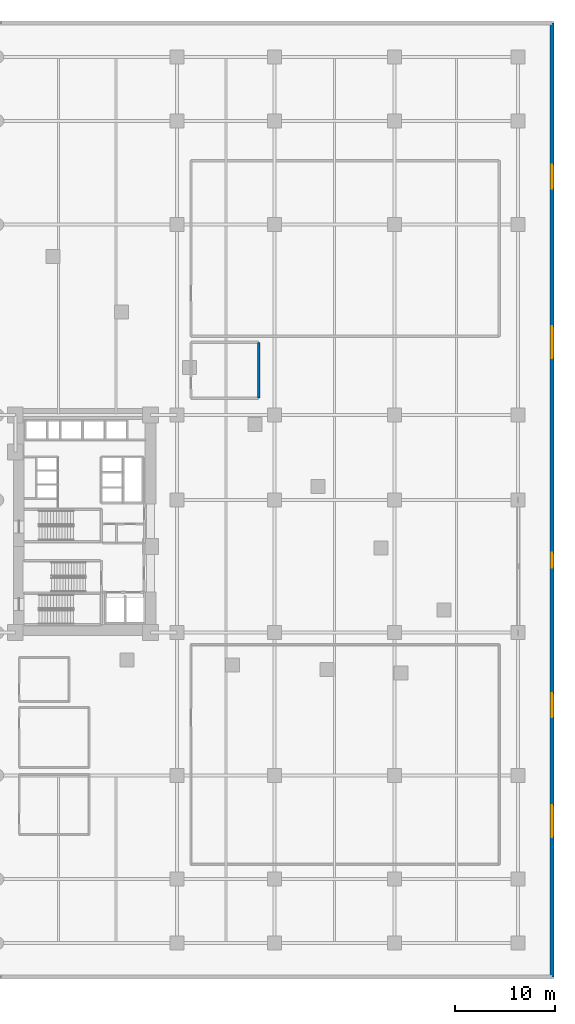
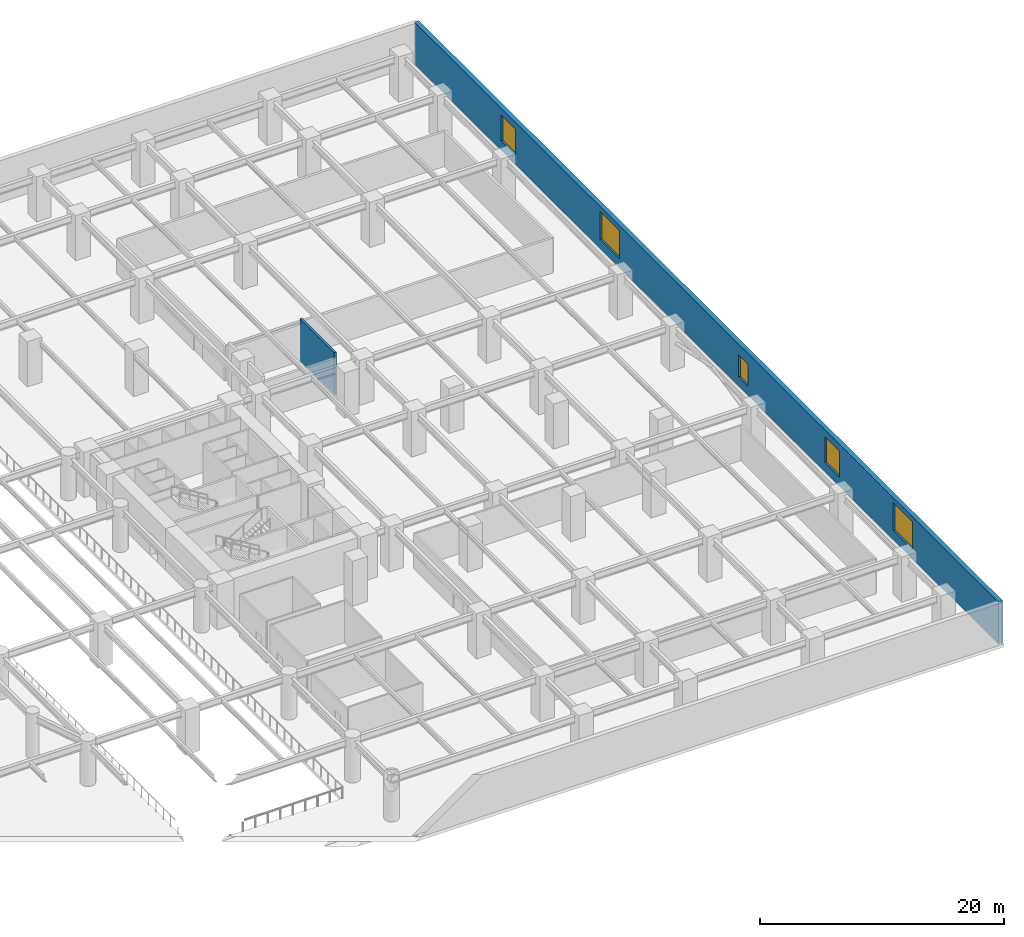
# One storey, part 15 of 32: 5 windows, 2 walls, 5 openings.
"""IFC4 building model written with IfcOpenShell, lengths in metres."""

from ifc_helpers import new_model, si_unit, direction, frame, frame_2d, origin, place, context, subcontext, project, spatial, rectangle, extrude, material, layer, layer_set, type_object, element, fill, save


model = new_model("IFC4")

# Units and contexts
model_context = context("Model", 3, precision=1e-05, world=origin(), true_north=direction((0.0, 1.0)))
body_context = subcontext(model_context, "Body", "Model", "MODEL_VIEW")
ifc_project = project(units=[si_unit("LENGTHUNIT", "METRE"), si_unit("AREAUNIT", "SQUARE_METRE"), si_unit("VOLUMEUNIT", "CUBIC_METRE"), si_unit("PLANEANGLEUNIT", "RADIAN"), si_unit("MASSUNIT", "GRAM", prefix="KILO")], contexts=[model_context])

# Site, building, storey
site_placement = place(None, origin())
site = spatial("IfcSite", under=ifc_project, at=site_placement, CompositionType="ELEMENT")
building_placement = place(site_placement, origin())
building = spatial("IfcBuilding", under=site, at=building_placement, Name="Narakoshi Arena Tower", CompositionType="ELEMENT")
storey_placement = place(building_placement, frame((0.0, 0.0, 4.5)))
storey = spatial("IfcBuildingStorey", under=building, at=storey_placement, Name="L01", CompositionType="ELEMENT", Elevation=4.5)

# Wall
ifc_material_1 = material(Name="Concrete C40/50", Category="concrete")
ifc_layer_1 = layer(ifc_material_1, 0.219970703125)
ifc_layer_set_1 = layer_set([ifc_layer_1], Name="Concrete C40/50")
wall_type_1 = type_object("IfcWallType", Name="WL-COMP-220", PredefinedType="SOLIDWALL", material=ifc_layer_set_1)
wall_1_placement = place(storey_placement, frame((96.39990234375, 58.199951171875, 0.0), z_axis=(0.0, 0.0, 1.0), x_axis=(0.0, 1.0, 0.0)))
element("IfcWall", 1, at=wall_1_placement, inside=storey, type_object=wall_type_1, Name="L01 Event Catering Kitchen Wall E", PredefinedType="SOLIDWALL", context=body_context, shape_type="SweptSolid", body=[
    extrude(rectangle(XDim=5.60009765625, YDim=0.219970703125, at=frame_2d((2.800048828125, 0.0))), origin(), (0.0, 0.0, 1.0), 4.179931640625),
])

# Wall, openings, windows
ifc_material_2 = material(Name="Precast concrete C45/55", Category="concrete")
ifc_layer_2 = layer(ifc_material_2, 0.419921875)
ifc_layer_set_2 = layer_set([ifc_layer_2], Name="Precast concrete C45/55")
wall_type_2 = type_object("IfcWallType", Name="WL-POD-420", PredefinedType="SOLIDWALL", material=ifc_layer_set_2)
wall_2_placement = place(storey_placement, frame((125.7900390625, 0.2099609375, 0.0), z_axis=(0.0, 0.0, 1.0), x_axis=(0.0, 1.0, 0.0)))
wall_2 = element("IfcWall", 2, at=wall_2_placement, inside=storey, type_object=wall_type_2, Name="L01 Podium Precast Facade Wall E", PredefinedType="SOLIDWALL", context=body_context, shape_type="SweptSolid", body=[
    extrude(rectangle(XDim=95.580078125, YDim=0.419921875, at=frame_2d((47.7900390625, 0.0))), origin(), (0.0, 0.0, 1.0), 4.179931640625),
])
opening_1_placement = place(wall_2_placement, frame((14.0, 0.0, 0.89990234375)))
opening_1 = element("IfcOpeningElement", 3, at=opening_1_placement, cuts=wall_2, Name="Opening WN-08", PredefinedType="OPENING", context=body_context, shape_type="SweptSolid", body=[
    extrude(rectangle(XDim=3.199951171875, YDim=2.800048828125, at=frame_2d((1.60009765625, 1.39990234375))), frame((0.0, 0.219970703125, 0.0), z_axis=(0.0, -1.0, 0.0), x_axis=(1.0, 0.0, 0.0)), (0.0, 0.0, 1.0), 0.43994140625),
])
opening_2_placement = place(wall_2_placement, frame((26.0, 0.0, 0.89990234375)))
opening_2 = element("IfcOpeningElement", 4, at=opening_2_placement, cuts=wall_2, Name="Opening WN-09", PredefinedType="OPENING", context=body_context, shape_type="SweptSolid", body=[
    extrude(rectangle(XDim=2.39990234375, YDim=2.60009765625, at=frame_2d((1.199951171875, 1.300048828125))), frame((0.0, 0.219970703125, 0.0), z_axis=(0.0, -1.0, 0.0), x_axis=(1.0, 0.0, 0.0)), (0.0, 0.0, 1.0), 0.43994140625),
])
opening_3_placement = place(wall_2_placement, frame((41.0, 0.0, 0.89990234375)))
opening_3 = element("IfcOpeningElement", 5, at=opening_3_placement, cuts=wall_2, Name="Opening WN-10", PredefinedType="OPENING", context=body_context, shape_type="SweptSolid", body=[
    extrude(rectangle(XDim=1.5, YDim=2.199951171875, at=frame_2d((0.75, 1.10009765625))), frame((0.0, 0.219970703125, 0.0), z_axis=(0.0, -1.0, 0.0), x_axis=(1.0, 0.0, 0.0)), (0.0, 0.0, 1.0), 0.43994140625),
])
opening_4_placement = place(wall_2_placement, frame((62.0, 0.0, 0.89990234375)))
opening_4 = element("IfcOpeningElement", 6, at=opening_4_placement, cuts=wall_2, Name="Opening WN-08", PredefinedType="OPENING", context=body_context, shape_type="SweptSolid", body=[
    extrude(rectangle(XDim=3.199951171875, YDim=2.800048828125, at=frame_2d((1.60009765625, 1.39990234375))), frame((0.0, 0.219970703125, 0.0), z_axis=(0.0, -1.0, 0.0), x_axis=(1.0, 0.0, 0.0)), (0.0, 0.0, 1.0), 0.43994140625),
])
opening_5_placement = place(wall_2_placement, frame((79.0, 0.0, 0.89990234375)))
opening_5 = element("IfcOpeningElement", 7, at=opening_5_placement, cuts=wall_2, Name="Opening WN-09", PredefinedType="OPENING", context=body_context, shape_type="SweptSolid", body=[
    extrude(rectangle(XDim=2.39990234375, YDim=2.60009765625, at=frame_2d((1.199951171875, 1.300048828125))), frame((0.0, 0.219970703125, 0.0), z_axis=(0.0, -1.0, 0.0), x_axis=(1.0, 0.0, 0.0)), (0.0, 0.0, 1.0), 0.43994140625),
])
ifc_material_3 = material(Name="Bronze-tinted low-E laminated glass", Category="glass")
window_type_1 = type_object("IfcWindowType", Name="WIN-POD-15x22", PartitioningType="SINGLE_PANEL", PredefinedType="WINDOW", material=ifc_material_3)
window_1_placement = place(opening_3_placement, origin())
window_1 = element("IfcWindow", 8, at=window_1_placement, inside=storey, type_object=window_type_1, Name="L01 Podium East Window 03", OverallHeight=2.199951171875, OverallWidth=1.5, PartitioningType="SINGLE_PANEL", PredefinedType="WINDOW", context=body_context, shape_type="SweptSolid", body=[
    extrude(rectangle(XDim=1.5, YDim=2.199951171875, at=frame_2d((0.75, 1.10009765625))), frame((0.0, 0.030029296875, 0.0), z_axis=(0.0, -1.0, 0.0), x_axis=(1.0, 0.0, 0.0)), (0.0, 0.0, 1.0), 0.06005859375),
])
fill(opening_3, window_1)
window_type_2 = type_object("IfcWindowType", Name="WIN-POD-24x26", PartitioningType="SINGLE_PANEL", PredefinedType="WINDOW", material=ifc_material_3)
window_2_placement = place(opening_2_placement, origin())
window_2 = element("IfcWindow", 9, at=window_2_placement, inside=storey, type_object=window_type_2, Name="L01 Podium East Window 02", OverallHeight=2.60009765625, OverallWidth=2.39990234375, PartitioningType="SINGLE_PANEL", PredefinedType="WINDOW", context=body_context, shape_type="SweptSolid", body=[
    extrude(rectangle(XDim=2.39990234375, YDim=2.60009765625, at=frame_2d((1.199951171875, 1.300048828125))), frame((0.0, 0.030029296875, 0.0), z_axis=(0.0, -1.0, 0.0), x_axis=(1.0, 0.0, 0.0)), (0.0, 0.0, 1.0), 0.06005859375),
])
fill(opening_2, window_2)
window_3_placement = place(opening_5_placement, origin())
window_3 = element("IfcWindow", 10, at=window_3_placement, inside=storey, type_object=window_type_2, Name="L01 Podium East Window 05", OverallHeight=2.60009765625, OverallWidth=2.39990234375, PartitioningType="SINGLE_PANEL", PredefinedType="WINDOW", context=body_context, shape_type="SweptSolid", body=[
    extrude(rectangle(XDim=2.39990234375, YDim=2.60009765625, at=frame_2d((1.199951171875, 1.300048828125))), frame((0.0, 0.030029296875, 0.0), z_axis=(0.0, -1.0, 0.0), x_axis=(1.0, 0.0, 0.0)), (0.0, 0.0, 1.0), 0.06005859375),
])
fill(opening_5, window_3)
window_type_3 = type_object("IfcWindowType", Name="WIN-POD-32x28", PartitioningType="SINGLE_PANEL", PredefinedType="WINDOW", material=ifc_material_3)
window_4_placement = place(opening_1_placement, origin())
window_4 = element("IfcWindow", 11, at=window_4_placement, inside=storey, type_object=window_type_3, Name="L01 Podium East Window 01", OverallHeight=2.800048828125, OverallWidth=3.199951171875, PartitioningType="SINGLE_PANEL", PredefinedType="WINDOW", context=body_context, shape_type="SweptSolid", body=[
    extrude(rectangle(XDim=3.199951171875, YDim=2.800048828125, at=frame_2d((1.60009765625, 1.39990234375))), frame((0.0, 0.030029296875, 0.0), z_axis=(0.0, -1.0, 0.0), x_axis=(1.0, 0.0, 0.0)), (0.0, 0.0, 1.0), 0.06005859375),
])
fill(opening_1, window_4)
window_5_placement = place(opening_4_placement, origin())
window_5 = element("IfcWindow", 12, at=window_5_placement, inside=storey, type_object=window_type_3, Name="L01 Podium East Window 04", OverallHeight=2.800048828125, OverallWidth=3.199951171875, PartitioningType="SINGLE_PANEL", PredefinedType="WINDOW", context=body_context, shape_type="SweptSolid", body=[
    extrude(rectangle(XDim=3.199951171875, YDim=2.800048828125, at=frame_2d((1.60009765625, 1.39990234375))), frame((0.0, 0.030029296875, 0.0), z_axis=(0.0, -1.0, 0.0), x_axis=(1.0, 0.0, 0.0)), (0.0, 0.0, 1.0), 0.06005859375),
])
fill(opening_4, window_5)

save(model, "model.ifc")
